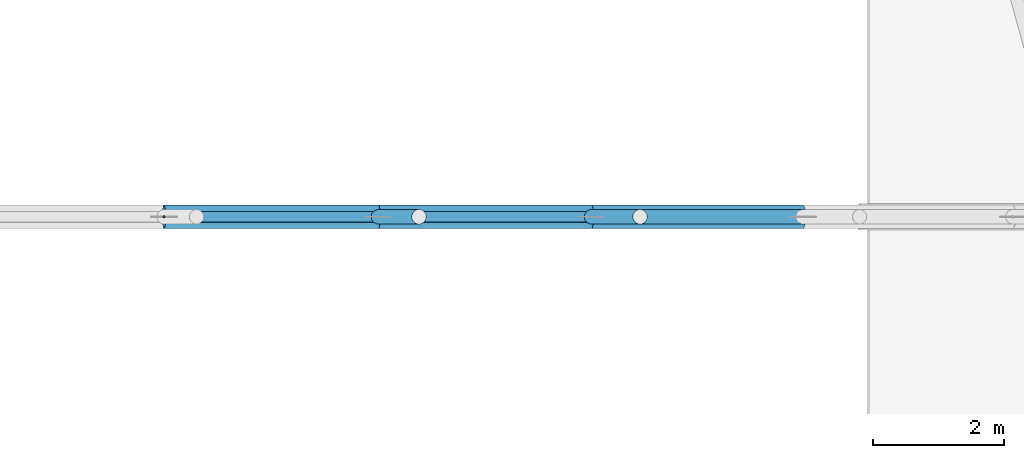
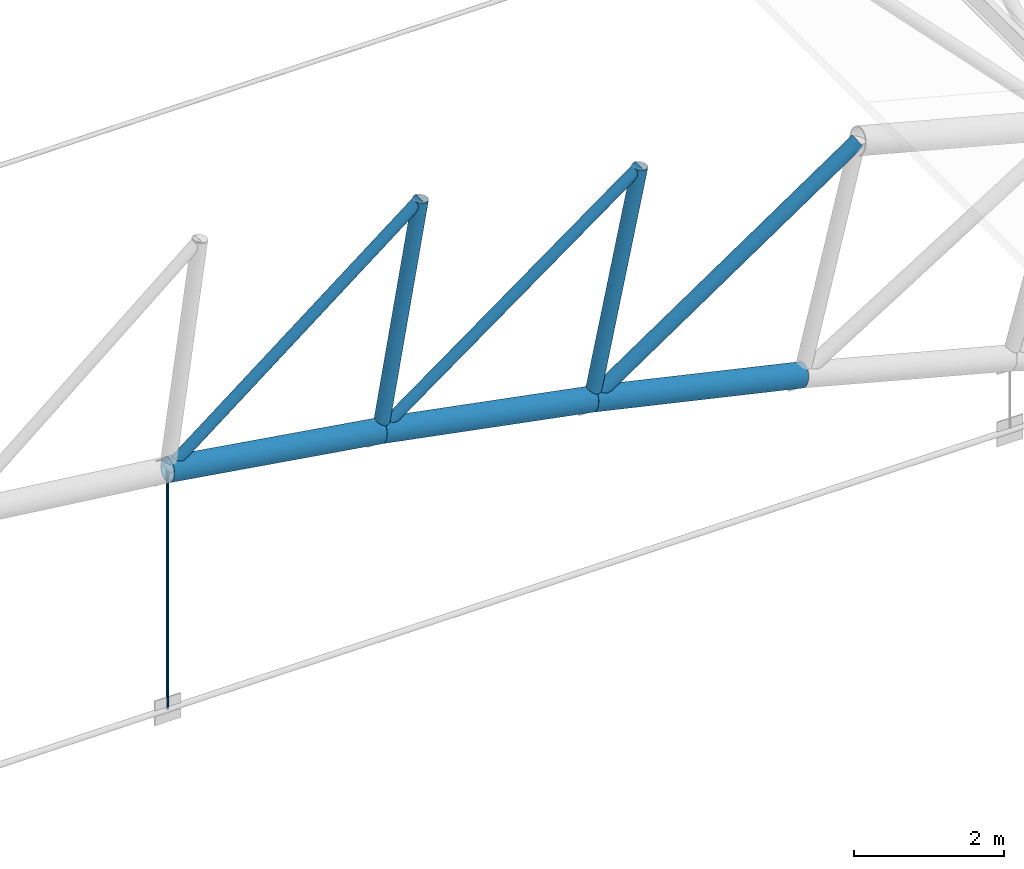
# One storey, part 99 of 321: 9 members.
"""IFC4 building model written with IfcOpenShell, lengths in metres."""

import ifcopenshell
import ifcopenshell.guid

model = None  # the IFC model being written
_history = None  # IfcOwnerHistory: only IFC2X3 demands one
_inside = {}  # id of a spatial element -> (the spatial element, [elements in it])
_under = {}  # id of a project, library or spatial element -> (it, [spatial elements below it])
_declared = {}  # id of a project -> (the project, [libraries it declares])
_typed = {}  # id of a type object -> (the type object, [elements of that type])
_made_of = {}  # id of a material, layer set ... -> (it, [elements and type objects made of it])


def new_model(schema):
    """Start an empty IFC model of exactly this schema.

    Asked for "IFC4X3", IfcOpenShell would pick the latest addendum, in which some entities
    have other attributes; the version numbers below select the first issue.
    IFC2X3 requires an IfcOwnerHistory on every rooted entity: one is made here for all.
    """
    global model, _history
    if schema == "IFC4X3":
        model = ifcopenshell.file(schema_version=(4, 3, 0, 0))
    else:
        model = ifcopenshell.file(schema=schema)
    _inside.clear()
    _under.clear()
    _declared.clear()
    _typed.clear()
    _made_of.clear()
    _history = None
    if model.schema == "IFC2X3":
        org = make("IfcOrganization", Name="unknown")
        user = make(
            "IfcPersonAndOrganization",
            ThePerson=make("IfcPerson", FamilyName="unknown"),
            TheOrganization=org,
        )
        app = make(
            "IfcApplication",
            ApplicationDeveloper=org,
            Version="unknown",
            ApplicationFullName="unknown",
            ApplicationIdentifier="unknown",
        )
        _history = make(
            "IfcOwnerHistory",
            OwningUser=user,
            OwningApplication=app,
            ChangeAction="ADDED",
            CreationDate=0,
        )
    return model


def make(cls, **values):
    """One entity of the class cls with the attributes given. An attribute that is None is left unset."""
    return model.create_entity(
        cls, **{name: value for name, value in values.items() if value is not None}
    )


def rooted(cls, **values):
    """An entity with a GlobalId (a new one), such as an element, a storey or a relation."""
    return make(cls, GlobalId=ifcopenshell.guid.new(), OwnerHistory=_history, **values)


def si_unit(unit_type, name, prefix=None):
    """IfcSIUnit, for example si_unit("LENGTHUNIT", "METRE", prefix="MILLI")."""
    return make("IfcSIUnit", UnitType=unit_type, Prefix=prefix, Name=name)


def assignment(units):
    """IfcUnitAssignment: the units of a project."""
    return None if units is None else make("IfcUnitAssignment", Units=units)


def point(xyz):
    """IfcCartesianPoint."""
    return None if xyz is None else make("IfcCartesianPoint", Coordinates=xyz)


def direction(xyz):
    """IfcDirection."""
    return None if xyz is None else make("IfcDirection", DirectionRatios=xyz)


def frame(location, z_axis=None, x_axis=None):
    """IfcAxis2Placement3D, a coordinate frame: its origin and axes. An axis left out is left unset."""
    return make(
        "IfcAxis2Placement3D",
        Location=point(location),
        Axis=direction(z_axis),
        RefDirection=direction(x_axis),
    )


def frame_2d(location, x_axis=None):
    """IfcAxis2Placement2D, a coordinate frame in the plane: its origin and x axis."""
    return make(
        "IfcAxis2Placement2D", Location=point(location), RefDirection=direction(x_axis)
    )


def origin():
    """The frame at (0, 0, 0) with its axes left unset."""
    return frame((0.0, 0.0, 0.0))


def origin_2d():
    """The frame at (0, 0) in the plane with its x axis left unset."""
    return frame_2d((0.0, 0.0))


def place(relative_to, where):
    """IfcLocalPlacement: puts the frame where relative to a parent placement (None: the world)."""
    return make(
        "IfcLocalPlacement", PlacementRelTo=relative_to, RelativePlacement=where
    )


def context(
    kind, dimensions, precision=None, world=None, true_north=None, identifier=None
):
    """IfcGeometricRepresentationContext, for example the 3D "Model" context."""
    return make(
        "IfcGeometricRepresentationContext",
        ContextIdentifier=identifier,
        ContextType=kind,
        CoordinateSpaceDimension=dimensions,
        Precision=precision,
        WorldCoordinateSystem=world,
        TrueNorth=true_north,
    )


def subcontext(parent, identifier, kind, view, scale=None):
    """IfcGeometricRepresentationSubContext, for example "Body" below "Model"."""
    return make(
        "IfcGeometricRepresentationSubContext",
        ContextIdentifier=identifier,
        ContextType=kind,
        ParentContext=parent,
        TargetScale=scale,
        TargetView=view,
    )


def project(units=None, contexts=None):
    """IfcProject with its units and contexts."""
    return rooted(
        "IfcProject",
        Name="project",
        RepresentationContexts=contexts,
        UnitsInContext=assignment(units),
    )


def spatial(cls, under=None, at=None, **own):
    """A site, building, storey or space (cls), placed at a placement, below another one or the project."""
    s = rooted(cls, ObjectPlacement=at, **own)
    if under is not None:
        _under.setdefault(under.id(), (under, []))[1].append(s)
    return s


def profile(cls, at=None, kind="AREA", **sizes):
    """A parametric profile (cls). Its sizes go by their IFC names, for example OverallWidth=200.0."""
    return make(cls, ProfileType=kind, Position=at, **sizes)


def circle(**sizes):
    """IfcCircleProfileDef."""
    return profile("IfcCircleProfileDef", **sizes)


def hollow_circle(**sizes):
    """IfcCircleHollowProfileDef."""
    return profile("IfcCircleHollowProfileDef", **sizes)


def extrude(swept, where, along, depth):
    """IfcExtrudedAreaSolid: the profile swept, set in the frame where, extruded along a direction by depth."""
    return make(
        "IfcExtrudedAreaSolid",
        SweptArea=swept,
        Position=where,
        ExtrudedDirection=direction(along),
        Depth=depth,
    )


def shape(context_of_items, identifier, shape_type, items):
    """IfcShapeRepresentation: the items that make up one representation, for example the "Body"."""
    return make(
        "IfcShapeRepresentation",
        ContextOfItems=context_of_items,
        RepresentationIdentifier=identifier,
        RepresentationType=shape_type,
        Items=items,
    )


def material(Name=None, Category=None):
    """IfcMaterial."""
    return make("IfcMaterial", Name=Name, Category=Category)


def material_profile(
    of_material, cross_section, Name=None, Category=None, Priority=None
):
    """IfcMaterialProfile: a cross section and its material."""
    return make(
        "IfcMaterialProfile",
        Name=Name,
        Material=of_material,
        Profile=cross_section,
        Priority=Priority,
        Category=Category,
    )


def profile_set(profiles, Name=None, composite=None):
    """IfcMaterialProfileSet."""
    return make(
        "IfcMaterialProfileSet",
        Name=Name,
        MaterialProfiles=profiles,
        CompositeProfile=composite,
    )


def made_of(thing, what):
    """Note that an element or type object is made of a material, layer set ...; save() writes the relation."""
    if what is not None:
        _made_of.setdefault(what.id(), (what, []))[1].append(thing)
    return thing


def type_object(cls, material=None, **own):
    """A type object (cls), such as IfcWallType, which elements share."""
    return made_of(rooted(cls, **own), material)


def element(
    cls,
    number,
    at=None,
    inside=None,
    cuts=None,
    type_object=None,
    material=None,
    context=None,
    identifier="Body",
    shape_type=None,
    held_by="IfcProductDefinitionShape",
    body=None,
    shapes=None,
    **own,
):
    """One element of the class cls, such as IfcWall. Its Tag is "e" and its number.

    at: its placement. inside: the storey or other place that contains it. cuts: it is an
    opening in that element (IfcRelVoidsElement). A single representation is given by context,
    identifier, shape_type and body (its items); several are given by shapes. held_by: the class
    of the entity that holds the representations. save() writes the other relations.
    """
    e = rooted(cls, Tag="e%d" % number, ObjectPlacement=at, **own)
    if body is not None:
        shapes = [shape(context, identifier, shape_type, body)]
    if shapes is not None:
        e.Representation = make(held_by, Representations=shapes)
    if inside is not None:
        _inside.setdefault(inside.id(), (inside, []))[1].append(e)
    if cuts is not None:
        rooted(
            "IfcRelVoidsElement", RelatingBuildingElement=cuts, RelatedOpeningElement=e
        )
    if type_object is not None:
        _typed.setdefault(type_object.id(), (type_object, []))[1].append(e)
    return made_of(e, material)


def aggregate(whole, parts):
    """IfcRelAggregates: a whole, such as a stair, and the parts it consists of."""
    return rooted("IfcRelAggregates", RelatingObject=whole, RelatedObjects=parts)


def save(model, path):
    """Write the relations noted so far, then the file.

    IfcRelAggregates (storeys below a building ...), IfcRelContainedInSpatialStructure (elements
    in a storey), IfcRelDefinesByType, IfcRelAssociatesMaterial and IfcRelDeclares: one each for
    every whole, place, type object, material and project.
    """
    for whole, parts in _under.values():
        aggregate(whole, parts)
    for where, things in _inside.values():
        rooted(
            "IfcRelContainedInSpatialStructure",
            RelatedElements=things,
            RelatingStructure=where,
        )
    for kind, things in _typed.values():
        rooted("IfcRelDefinesByType", RelatedObjects=things, RelatingType=kind)
    for what, things in _made_of.values():
        rooted("IfcRelAssociatesMaterial", RelatedObjects=things, RelatingMaterial=what)
    for by, libraries in _declared.values():
        rooted("IfcRelDeclares", RelatingContext=by, RelatedDefinitions=libraries)
    model.write(path)


model = new_model("IFC4")

# Units and contexts
model_context = context("Model", 3, precision=1e-05, world=origin(), true_north=direction((0.0, 1.0)))
body_context = subcontext(model_context, "Body", "Model", "MODEL_VIEW")
ifc_project = project(units=[si_unit("LENGTHUNIT", "METRE"), si_unit("AREAUNIT", "SQUARE_METRE"), si_unit("VOLUMEUNIT", "CUBIC_METRE"), si_unit("PLANEANGLEUNIT", "RADIAN"), si_unit("MASSUNIT", "GRAM", prefix="KILO")], contexts=[model_context])

# Site, building, storey
site_placement = place(None, origin())
site = spatial("IfcSite", under=ifc_project, at=site_placement, CompositionType="ELEMENT")
building_placement = place(site_placement, origin())
building = spatial("IfcBuilding", under=site, at=building_placement, Name="Ravi Spectrum Wholesale Market", CompositionType="ELEMENT")
storey_placement = place(building_placement, frame((0.0, 0.0, 10.800048828125)))
storey = spatial("IfcBuildingStorey", under=building, at=storey_placement, Name="L02", CompositionType="ELEMENT", Elevation=10.800048828125)

# Members
ifc_material_1 = material(Name="Steel S355", Category="steel")
ifc_material_profile_1 = material_profile(ifc_material_1, hollow_circle(Radius=0.084228515625, WallThickness=0.00634765625, at=origin_2d()))
ifc_profile_set_1 = profile_set([ifc_material_profile_1], Name="Steel S355")
member_type_1 = type_object("IfcMemberType", Name="CHS 168.3x6.3 brace", PredefinedType="BRACE", material=ifc_profile_set_1)
for number, where, z_axis, x_axis, name in (
    (1, (87.0673828125, 102.0, 6.92431640625), (-0.787944778548, 0.0, -0.615745910225), (0.0, -1.0, 0.0), "H1-MB-L02-573"),
    (2, (90.436279296875, 102.0, 6.27734375), (-0.808703958366, 0.0, -0.588215868303), (0.0, -1.0, 0.0), "H1-MB-L02-574"),
):
    element("IfcMember", number, at=place(storey_placement, frame(where, z_axis=z_axis, x_axis=x_axis)), inside=storey, type_object=member_type_1, Name=name, PredefinedType="BRACE", context=body_context, shape_type="SweptSolid", body=[
        extrude(hollow_circle(Radius=0.084228515625, WallThickness=0.00634765625, at=origin_2d()), origin(), (0.0, 0.0, 1.0), 4.9296875),
    ])
ifc_material_2 = material(Name="Steel S355", Category="steel")
ifc_material_profile_2 = material_profile(ifc_material_2, hollow_circle(Radius=0.109619140625, WallThickness=0.008056640625, at=origin_2d()))
ifc_profile_set_2 = profile_set([ifc_material_profile_2], Name="Steel S355")
member_type_2 = type_object("IfcMemberType", Name="CHS 219.1x8 brace", PredefinedType="BRACE", material=ifc_profile_set_2)
member_1_placement = place(storey_placement, frame((93.78076171875, 102.0, 5.514404296875), z_axis=(-0.828544259915, 0.0, -0.559923574573), x_axis=(0.0, -1.0, 0.0)))
element("IfcMember", 3, at=member_1_placement, inside=storey, type_object=member_type_2, Name="H1-MB-L02-575", PredefinedType="BRACE", context=body_context, shape_type="SweptSolid", body=[
    extrude(hollow_circle(Radius=0.109619140625, WallThickness=0.008056640625, at=origin_2d()), origin(), (0.0, 0.0, 1.0), 4.9296875),
])
ifc_material_3 = material(Name="Steel S355", Category="steel")
ifc_material_profile_3 = material_profile(ifc_material_3, hollow_circle(Radius=0.109619140625, WallThickness=0.008056640625, at=origin_2d()))
ifc_profile_set_3 = profile_set([ifc_material_profile_3], Name="Steel S355")
member_type_3 = type_object("IfcMemberType", Name="CHS 219.1x8 post", PredefinedType="POST", material=ifc_profile_set_3)
for number, where, z_axis, x_axis, name in (
    (4, (87.0673828125, 102.0, 6.92431640625), (-0.171575852457, 0.0, -0.985170912509), (0.0, -1.0, 0.0), "H1-MB-L02-551"),
    (5, (90.436279296875, 102.0, 6.27734375), (-0.205549060287, 0.0, -0.978646812602), (0.0, -1.0, 0.0), "H1-MB-L02-552"),
):
    element("IfcMember", number, at=place(storey_placement, frame(where, z_axis=z_axis, x_axis=x_axis)), inside=storey, type_object=member_type_3, Name=name, PredefinedType="POST", context=body_context, shape_type="SweptSolid", body=[
        extrude(hollow_circle(Radius=0.109619140625, WallThickness=0.008056640625, at=origin_2d()), origin(), (0.0, 0.0, 1.0), 3.60009765625),
    ])
ifc_material_4 = material(Name="Steel S355", Category="steel")
ifc_material_profile_4 = material_profile(ifc_material_4, hollow_circle(Radius=0.177734375, WallThickness=0.012451171875, at=origin_2d()))
ifc_profile_set_4 = profile_set([ifc_material_profile_4], Name="Steel S355")
member_type_4 = type_object("IfcMemberType", Name="CHS 355.6x12.5 chord", PredefinedType="CHORD", material=ifc_profile_set_4)
member_2_placement = place(storey_placement, frame((83.18310546875, 102.0, 3.888916015625), z_axis=(0.987973992944, 0.0, -0.154620145084), x_axis=(0.0, 1.0, 0.0)))
element("IfcMember", 6, at=member_2_placement, inside=storey, type_object=member_type_4, Name="H1-MB-L02-527", PredefinedType="CHORD", context=body_context, shape_type="SweptSolid", body=[
    extrude(hollow_circle(Radius=0.177734375, WallThickness=0.012451171875, at=origin_2d()), origin(), (0.0, 0.0, 1.0), 3.306396484375),
])
member_3_placement = place(storey_placement, frame((86.44970703125, 102.0, 3.377685546875), z_axis=(0.982051718756, 0.0, -0.188611828072), x_axis=(0.0, 1.0, 0.0)))
element("IfcMember", 7, at=member_3_placement, inside=storey, type_object=member_type_4, Name="H1-MB-L02-528", PredefinedType="CHORD", context=body_context, shape_type="SweptSolid", body=[
    extrude(hollow_circle(Radius=0.177734375, WallThickness=0.012451171875, at=origin_2d()), origin(), (0.0, 0.0, 1.0), 3.305908203125),
])
member_4_placement = place(storey_placement, frame((89.6962890625, 102.0, 2.754150390625), z_axis=(0.974967923727, 0.0, -0.222345559217), x_axis=(0.0, 1.0, 0.0)))
element("IfcMember", 8, at=member_4_placement, inside=storey, type_object=member_type_4, Name="H1-MB-L02-529", PredefinedType="CHORD", context=body_context, shape_type="SweptSolid", body=[
    extrude(hollow_circle(Radius=0.177734375, WallThickness=0.012451171875, at=origin_2d()), origin(), (0.0, 0.0, 1.0), 3.30615234375),
])
ifc_material_5 = material(Name="Steel S355", Category="steel")
ifc_material_profile_5 = material_profile(ifc_material_5, circle(Radius=0.01806640625, at=origin_2d()))
ifc_profile_set_5 = profile_set([ifc_material_profile_5], Name="Steel S355")
member_type_5 = type_object("IfcMemberType", Name="ROD 36 hanger", PredefinedType="STRUT", material=ifc_profile_set_5)
member_5_placement = place(storey_placement, frame((83.18310546875, 102.0, 0.0), z_axis=(0.0, 0.0, 1.0), x_axis=(1.0, 0.0, 0.0)))
element("IfcMember", 9, at=member_5_placement, inside=storey, type_object=member_type_5, Name="H1-MB-L02-584", PredefinedType="STRUT", context=body_context, shape_type="SweptSolid", body=[
    extrude(circle(Radius=0.01806640625, at=origin_2d()), origin(), (0.0, 0.0, 1.0), 3.888916015625),
])

save(model, "model.ifc")
